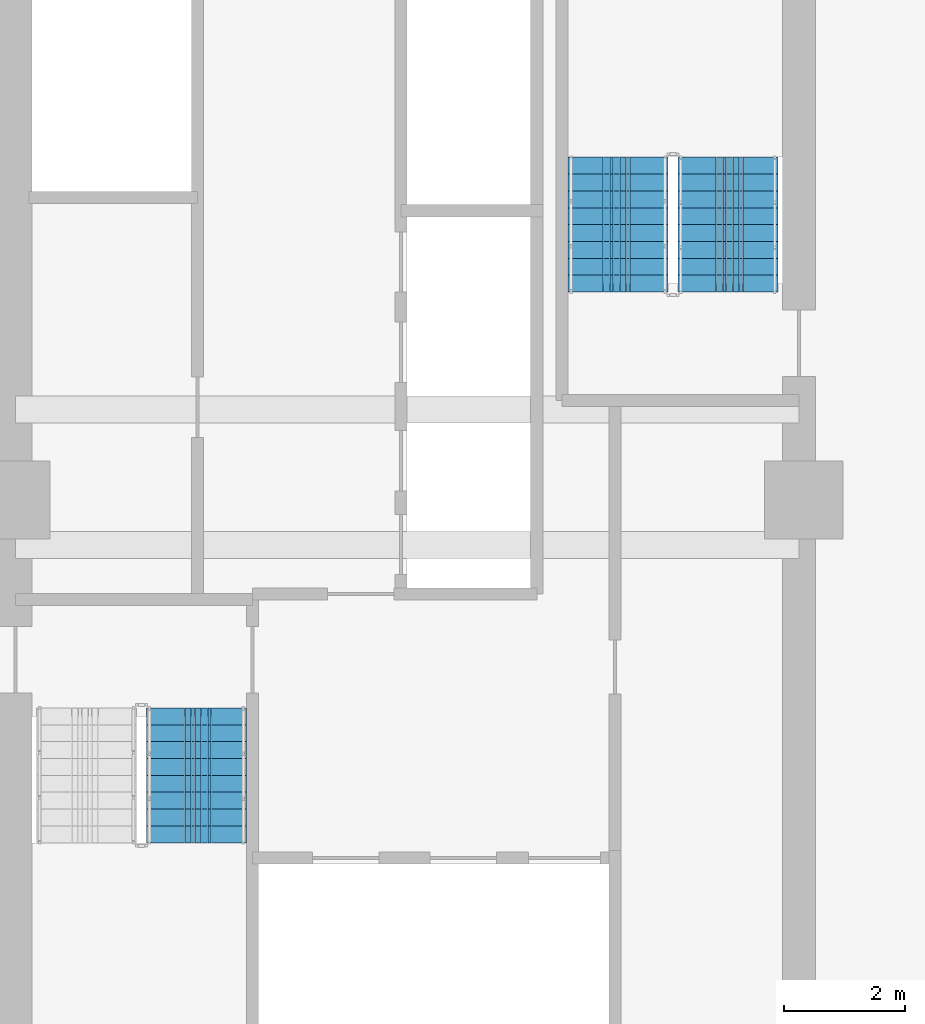
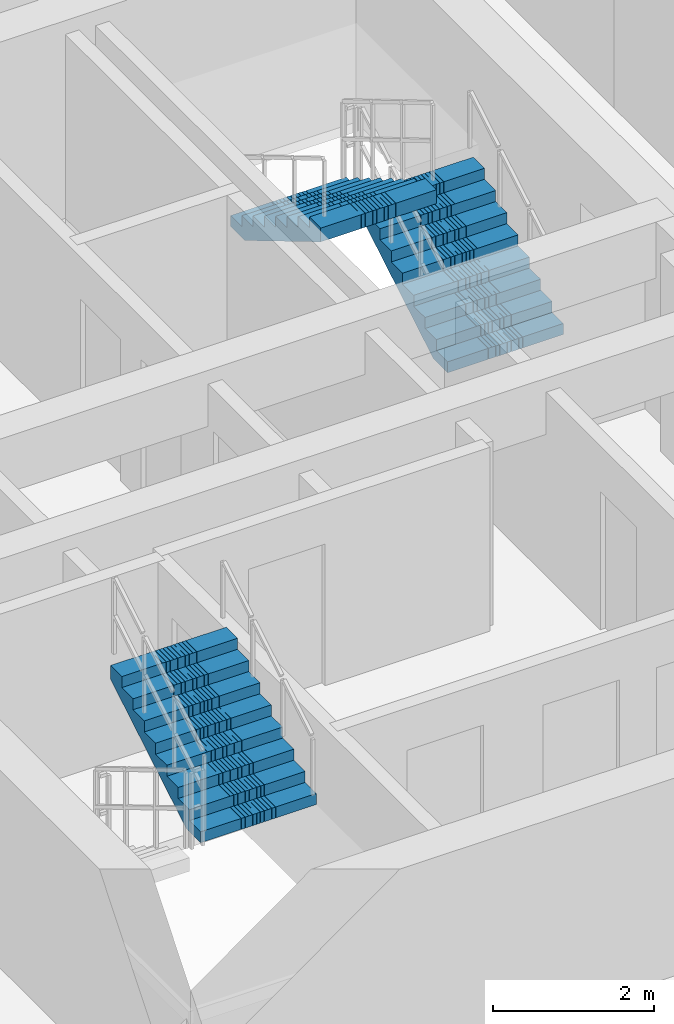
# One storey, part 9 of 13: 3 stair flights, 2 elements without a shape of their own.
"""IFC4 building model written with IfcOpenShell, lengths in metres."""

from ifc_helpers import new_model, si_unit, direction, frame, origin, place, context, subcontext, project, spatial, polyline, outline, extrude, material, type_object, element, aggregate, save


model = new_model("IFC4")

# Units and contexts
model_context = context("Model", 3, precision=1e-05, world=origin(), true_north=direction((0.0, 1.0)))
body_context = subcontext(model_context, "Body", "Model", "MODEL_VIEW")
ifc_project = project(units=[si_unit("LENGTHUNIT", "METRE"), si_unit("AREAUNIT", "SQUARE_METRE"), si_unit("VOLUMEUNIT", "CUBIC_METRE"), si_unit("PLANEANGLEUNIT", "RADIAN"), si_unit("MASSUNIT", "GRAM", prefix="KILO")], contexts=[model_context])

# Site, building, storey
site_placement = place(None, origin())
site = spatial("IfcSite", under=ifc_project, at=site_placement, CompositionType="ELEMENT")
building_placement = place(site_placement, origin())
building = spatial("IfcBuilding", under=site, at=building_placement, Name="Saelheon Loggia Tower", CompositionType="ELEMENT")
storey_placement = place(building_placement, frame((0.0, 0.0, 92.85009765625)))
storey = spatial("IfcBuildingStorey", under=building, at=storey_placement, Name="L29", CompositionType="ELEMENT", Elevation=92.85009765625)

# Stair, stair flight
ifc_material = material(Name="Concrete C40/50", Category="concrete")
stair_type = type_object("IfcStairType", Name="Stair_Escape_Core", PredefinedType="HALF_TURN_STAIR", material=ifc_material)
stair_1_placement = place(storey_placement, origin())
stair_1 = element("IfcStair", 1, at=stair_1_placement, inside=storey, type_object=stair_type, Name="L29 Special Escape Stair ST1", PredefinedType="HALF_TURN_STAIR")
stair_flight_type = type_object("IfcStairFlightType", Name="StairFlight_Tower_1660", PredefinedType="STRAIGHT", material=ifc_material)
stair_flight_1_placement = place(storey_placement, frame((34.5, 21.31005859375, 1.5), z_axis=(0.0, 0.0, 1.0), x_axis=(0.0, 1.0, 0.0)))
stair_flight_1 = element("IfcStairFlight", 2, at=stair_flight_1_placement, type_object=stair_flight_type, Name="ST1 flight 2", NumberOfRisers=9, NumberOfTreads=8, PredefinedType="STRAIGHT", RiserHeight=0.166666667, TreadLength=0.28, context=body_context, shape_type="SweptSolid", body=[
    extrude(outline(polyline([(0.0, 0.0), (0.0, 0.166748046875), (0.280029296875, 0.166748046875), (0.280029296875, 0.333251953125), (0.56005859375, 0.333251953125), (0.56005859375, 0.5), (0.840087890625, 0.5), (0.840087890625, 0.666748046875), (1.1201171875, 0.666748046875), (1.1201171875, 0.833251953125), (1.39990234375, 0.833251953125), (1.39990234375, 1.0), (1.679931640625, 1.0), (1.679931640625, 1.166748046875), (1.9599609375, 1.166748046875), (1.9599609375, 1.333251953125), (2.239990234375, 1.333251953125), (2.239990234375, 1.5), (2.239990234375, 1.1240234375), (0.351806640625, 0.0), (0.0, 0.0)])), frame((0.0, -0.2490234375, 0.0), z_axis=(0.0, -1.0, 0.0), x_axis=(1.0, 0.0, 0.0)), (0.0, 0.0, 1.0), 0.5810546875),
    extrude(outline(polyline([(0.0, 0.0), (0.0, 0.166748046875), (0.280029296875, 0.166748046875), (0.280029296875, 0.333251953125), (0.56005859375, 0.333251953125), (0.56005859375, 0.5), (0.840087890625, 0.5), (0.840087890625, 0.666748046875), (1.1201171875, 0.666748046875), (1.1201171875, 0.833251953125), (1.39990234375, 0.833251953125), (1.39990234375, 1.0), (1.679931640625, 1.0), (1.679931640625, 1.166748046875), (1.9599609375, 1.166748046875), (1.9599609375, 1.333251953125), (2.239990234375, 1.333251953125), (2.239990234375, 1.5), (2.239990234375, 1.1240234375), (0.351806640625, 0.0), (0.0, 0.0)])), frame((0.0, -0.194091796875, 0.0), z_axis=(0.0, -1.0, 0.0), x_axis=(1.0, 0.0, 0.0)), (0.0, 0.0, 1.0), 0.0498046875),
    extrude(outline(polyline([(0.0, 0.0), (0.0, 0.166748046875), (0.280029296875, 0.166748046875), (0.280029296875, 0.333251953125), (0.56005859375, 0.333251953125), (0.56005859375, 0.5), (0.840087890625, 0.5), (0.840087890625, 0.666748046875), (1.1201171875, 0.666748046875), (1.1201171875, 0.833251953125), (1.39990234375, 0.833251953125), (1.39990234375, 1.0), (1.679931640625, 1.0), (1.679931640625, 1.166748046875), (1.9599609375, 1.166748046875), (1.9599609375, 1.333251953125), (2.239990234375, 1.333251953125), (2.239990234375, 1.5), (2.239990234375, 1.1240234375), (0.351806640625, 0.0), (0.0, 0.0)])), frame((0.0, -0.139404296875, 0.0), z_axis=(0.0, -1.0, 0.0), x_axis=(1.0, 0.0, 0.0)), (0.0, 0.0, 1.0), 0.0498046875),
    extrude(outline(polyline([(0.0, 0.0), (0.0, 0.166748046875), (0.280029296875, 0.166748046875), (0.280029296875, 0.333251953125), (0.56005859375, 0.333251953125), (0.56005859375, 0.5), (0.840087890625, 0.5), (0.840087890625, 0.666748046875), (1.1201171875, 0.666748046875), (1.1201171875, 0.833251953125), (1.39990234375, 0.833251953125), (1.39990234375, 1.0), (1.679931640625, 1.0), (1.679931640625, 1.166748046875), (1.9599609375, 1.166748046875), (1.9599609375, 1.333251953125), (2.239990234375, 1.333251953125), (2.239990234375, 1.5), (2.239990234375, 1.1240234375), (0.351806640625, 0.0), (0.0, 0.0)])), frame((0.0, -0.084716796875, 0.0), z_axis=(0.0, -1.0, 0.0), x_axis=(1.0, 0.0, 0.0)), (0.0, 0.0, 1.0), 0.0498046875),
    extrude(outline(polyline([(0.0, 0.0), (0.0, 0.166748046875), (0.280029296875, 0.166748046875), (0.280029296875, 0.333251953125), (0.56005859375, 0.333251953125), (0.56005859375, 0.5), (0.840087890625, 0.5), (0.840087890625, 0.666748046875), (1.1201171875, 0.666748046875), (1.1201171875, 0.833251953125), (1.39990234375, 0.833251953125), (1.39990234375, 1.0), (1.679931640625, 1.0), (1.679931640625, 1.166748046875), (1.9599609375, 1.166748046875), (1.9599609375, 1.333251953125), (2.239990234375, 1.333251953125), (2.239990234375, 1.5), (2.239990234375, 1.1240234375), (0.351806640625, 0.0), (0.0, 0.0)])), frame((0.0, -0.02978515625, 0.0), z_axis=(0.0, -1.0, 0.0), x_axis=(1.0, 0.0, 0.0)), (0.0, 0.0, 1.0), 0.0498046875),
    extrude(outline(polyline([(0.0, 0.0), (0.0, 0.166748046875), (0.280029296875, 0.166748046875), (0.280029296875, 0.333251953125), (0.56005859375, 0.333251953125), (0.56005859375, 0.5), (0.840087890625, 0.5), (0.840087890625, 0.666748046875), (1.1201171875, 0.666748046875), (1.1201171875, 0.833251953125), (1.39990234375, 0.833251953125), (1.39990234375, 1.0), (1.679931640625, 1.0), (1.679931640625, 1.166748046875), (1.9599609375, 1.166748046875), (1.9599609375, 1.333251953125), (2.239990234375, 1.333251953125), (2.239990234375, 1.5), (2.239990234375, 1.1240234375), (0.351806640625, 0.0), (0.0, 0.0)])), frame((0.0, 0.02490234375, 0.0), z_axis=(0.0, -1.0, 0.0), x_axis=(1.0, 0.0, 0.0)), (0.0, 0.0, 1.0), 0.0498046875),
    extrude(outline(polyline([(0.0, 0.0), (0.0, 0.166748046875), (0.280029296875, 0.166748046875), (0.280029296875, 0.333251953125), (0.56005859375, 0.333251953125), (0.56005859375, 0.5), (0.840087890625, 0.5), (0.840087890625, 0.666748046875), (1.1201171875, 0.666748046875), (1.1201171875, 0.833251953125), (1.39990234375, 0.833251953125), (1.39990234375, 1.0), (1.679931640625, 1.0), (1.679931640625, 1.166748046875), (1.9599609375, 1.166748046875), (1.9599609375, 1.333251953125), (2.239990234375, 1.333251953125), (2.239990234375, 1.5), (2.239990234375, 1.1240234375), (0.351806640625, 0.0), (0.0, 0.0)])), frame((0.0, 0.07958984375, 0.0), z_axis=(0.0, -1.0, 0.0), x_axis=(1.0, 0.0, 0.0)), (0.0, 0.0, 1.0), 0.0498046875),
    extrude(outline(polyline([(0.0, 0.0), (0.0, 0.166748046875), (0.280029296875, 0.166748046875), (0.280029296875, 0.333251953125), (0.56005859375, 0.333251953125), (0.56005859375, 0.5), (0.840087890625, 0.5), (0.840087890625, 0.666748046875), (1.1201171875, 0.666748046875), (1.1201171875, 0.833251953125), (1.39990234375, 0.833251953125), (1.39990234375, 1.0), (1.679931640625, 1.0), (1.679931640625, 1.166748046875), (1.9599609375, 1.166748046875), (1.9599609375, 1.333251953125), (2.239990234375, 1.333251953125), (2.239990234375, 1.5), (2.239990234375, 1.1240234375), (0.351806640625, 0.0), (0.0, 0.0)])), frame((0.0, 0.134521484375, 0.0), z_axis=(0.0, -1.0, 0.0), x_axis=(1.0, 0.0, 0.0)), (0.0, 0.0, 1.0), 0.0498046875),
    extrude(outline(polyline([(0.0, 0.0), (0.0, 0.166748046875), (0.280029296875, 0.166748046875), (0.280029296875, 0.333251953125), (0.56005859375, 0.333251953125), (0.56005859375, 0.5), (0.840087890625, 0.5), (0.840087890625, 0.666748046875), (1.1201171875, 0.666748046875), (1.1201171875, 0.833251953125), (1.39990234375, 0.833251953125), (1.39990234375, 1.0), (1.679931640625, 1.0), (1.679931640625, 1.166748046875), (1.9599609375, 1.166748046875), (1.9599609375, 1.333251953125), (2.239990234375, 1.333251953125), (2.239990234375, 1.5), (2.239990234375, 1.1240234375), (0.351806640625, 0.0), (0.0, 0.0)])), frame((0.0, 0.189208984375, 0.0), z_axis=(0.0, -1.0, 0.0), x_axis=(1.0, 0.0, 0.0)), (0.0, 0.0, 1.0), 0.0498046875),
    extrude(outline(polyline([(0.0, 0.0), (0.0, 0.166748046875), (0.280029296875, 0.166748046875), (0.280029296875, 0.333251953125), (0.56005859375, 0.333251953125), (0.56005859375, 0.5), (0.840087890625, 0.5), (0.840087890625, 0.666748046875), (1.1201171875, 0.666748046875), (1.1201171875, 0.833251953125), (1.39990234375, 0.833251953125), (1.39990234375, 1.0), (1.679931640625, 1.0), (1.679931640625, 1.166748046875), (1.9599609375, 1.166748046875), (1.9599609375, 1.333251953125), (2.239990234375, 1.333251953125), (2.239990234375, 1.5), (2.239990234375, 1.1240234375), (0.351806640625, 0.0), (0.0, 0.0)])), frame((0.0, 0.243896484375, 0.0), z_axis=(0.0, -1.0, 0.0), x_axis=(1.0, 0.0, 0.0)), (0.0, 0.0, 1.0), 0.0498046875),
    extrude(outline(polyline([(0.0, 0.0), (0.0, 0.166748046875), (0.280029296875, 0.166748046875), (0.280029296875, 0.333251953125), (0.56005859375, 0.333251953125), (0.56005859375, 0.5), (0.840087890625, 0.5), (0.840087890625, 0.666748046875), (1.1201171875, 0.666748046875), (1.1201171875, 0.833251953125), (1.39990234375, 0.833251953125), (1.39990234375, 1.0), (1.679931640625, 1.0), (1.679931640625, 1.166748046875), (1.9599609375, 1.166748046875), (1.9599609375, 1.333251953125), (2.239990234375, 1.333251953125), (2.239990234375, 1.5), (2.239990234375, 1.1240234375), (0.351806640625, 0.0), (0.0, 0.0)])), frame((0.0, 0.830078125, 0.0), z_axis=(0.0, -1.0, 0.0), x_axis=(1.0, 0.0, 0.0)), (0.0, 0.0, 1.0), 0.5810546875),
])
aggregate(stair_1, [stair_flight_1])

# Stair, stair flights
stair_2_placement = place(storey_placement, origin())
stair_2 = element("IfcStair", 3, at=stair_2_placement, inside=storey, type_object=stair_type, Name="L29 Special Escape Stair ST2", PredefinedType="HALF_TURN_STAIR")
stair_flight_2_placement = place(storey_placement, frame((43.320068359375, 30.449951171875, 0.0), z_axis=(0.0, 0.0, 1.0), x_axis=(0.0, 1.0, 0.0)))
stair_flight_2 = element("IfcStairFlight", 4, at=stair_flight_2_placement, type_object=stair_flight_type, Name="ST2 flight 1", NumberOfRisers=9, NumberOfTreads=8, PredefinedType="STRAIGHT", RiserHeight=0.166666667, TreadLength=0.28, context=body_context, shape_type="SweptSolid", body=[
    extrude(outline(polyline([(0.0, 0.0), (0.0, 0.166748046875), (0.280029296875, 0.166748046875), (0.280029296875, 0.333251953125), (0.56005859375, 0.333251953125), (0.56005859375, 0.5), (0.840087890625, 0.5), (0.840087890625, 0.666748046875), (1.1201171875, 0.666748046875), (1.1201171875, 0.833251953125), (1.39990234375, 0.833251953125), (1.39990234375, 1.0), (1.679931640625, 1.0), (1.679931640625, 1.166748046875), (1.9599609375, 1.166748046875), (1.9599609375, 1.333251953125), (2.239990234375, 1.333251953125), (2.239990234375, 1.5), (2.239990234375, 1.1240234375), (0.351806640625, 0.0), (0.0, 0.0)])), frame((0.0, -0.2490234375, 0.0), z_axis=(0.0, -1.0, 0.0), x_axis=(1.0, 0.0, 0.0)), (0.0, 0.0, 1.0), 0.5810546875),
    extrude(outline(polyline([(0.0, 0.0), (0.0, 0.166748046875), (0.280029296875, 0.166748046875), (0.280029296875, 0.333251953125), (0.56005859375, 0.333251953125), (0.56005859375, 0.5), (0.840087890625, 0.5), (0.840087890625, 0.666748046875), (1.1201171875, 0.666748046875), (1.1201171875, 0.833251953125), (1.39990234375, 0.833251953125), (1.39990234375, 1.0), (1.679931640625, 1.0), (1.679931640625, 1.166748046875), (1.9599609375, 1.166748046875), (1.9599609375, 1.333251953125), (2.239990234375, 1.333251953125), (2.239990234375, 1.5), (2.239990234375, 1.1240234375), (0.351806640625, 0.0), (0.0, 0.0)])), frame((0.0, -0.194091796875, 0.0), z_axis=(0.0, -1.0, 0.0), x_axis=(1.0, 0.0, 0.0)), (0.0, 0.0, 1.0), 0.0498046875),
    extrude(outline(polyline([(0.0, 0.0), (0.0, 0.166748046875), (0.280029296875, 0.166748046875), (0.280029296875, 0.333251953125), (0.56005859375, 0.333251953125), (0.56005859375, 0.5), (0.840087890625, 0.5), (0.840087890625, 0.666748046875), (1.1201171875, 0.666748046875), (1.1201171875, 0.833251953125), (1.39990234375, 0.833251953125), (1.39990234375, 1.0), (1.679931640625, 1.0), (1.679931640625, 1.166748046875), (1.9599609375, 1.166748046875), (1.9599609375, 1.333251953125), (2.239990234375, 1.333251953125), (2.239990234375, 1.5), (2.239990234375, 1.1240234375), (0.351806640625, 0.0), (0.0, 0.0)])), frame((0.0, -0.139404296875, 0.0), z_axis=(0.0, -1.0, 0.0), x_axis=(1.0, 0.0, 0.0)), (0.0, 0.0, 1.0), 0.0498046875),
    extrude(outline(polyline([(0.0, 0.0), (0.0, 0.166748046875), (0.280029296875, 0.166748046875), (0.280029296875, 0.333251953125), (0.56005859375, 0.333251953125), (0.56005859375, 0.5), (0.840087890625, 0.5), (0.840087890625, 0.666748046875), (1.1201171875, 0.666748046875), (1.1201171875, 0.833251953125), (1.39990234375, 0.833251953125), (1.39990234375, 1.0), (1.679931640625, 1.0), (1.679931640625, 1.166748046875), (1.9599609375, 1.166748046875), (1.9599609375, 1.333251953125), (2.239990234375, 1.333251953125), (2.239990234375, 1.5), (2.239990234375, 1.1240234375), (0.351806640625, 0.0), (0.0, 0.0)])), frame((0.0, -0.084716796875, 0.0), z_axis=(0.0, -1.0, 0.0), x_axis=(1.0, 0.0, 0.0)), (0.0, 0.0, 1.0), 0.0498046875),
    extrude(outline(polyline([(0.0, 0.0), (0.0, 0.166748046875), (0.280029296875, 0.166748046875), (0.280029296875, 0.333251953125), (0.56005859375, 0.333251953125), (0.56005859375, 0.5), (0.840087890625, 0.5), (0.840087890625, 0.666748046875), (1.1201171875, 0.666748046875), (1.1201171875, 0.833251953125), (1.39990234375, 0.833251953125), (1.39990234375, 1.0), (1.679931640625, 1.0), (1.679931640625, 1.166748046875), (1.9599609375, 1.166748046875), (1.9599609375, 1.333251953125), (2.239990234375, 1.333251953125), (2.239990234375, 1.5), (2.239990234375, 1.1240234375), (0.351806640625, 0.0), (0.0, 0.0)])), frame((0.0, -0.02978515625, 0.0), z_axis=(0.0, -1.0, 0.0), x_axis=(1.0, 0.0, 0.0)), (0.0, 0.0, 1.0), 0.0498046875),
    extrude(outline(polyline([(0.0, 0.0), (0.0, 0.166748046875), (0.280029296875, 0.166748046875), (0.280029296875, 0.333251953125), (0.56005859375, 0.333251953125), (0.56005859375, 0.5), (0.840087890625, 0.5), (0.840087890625, 0.666748046875), (1.1201171875, 0.666748046875), (1.1201171875, 0.833251953125), (1.39990234375, 0.833251953125), (1.39990234375, 1.0), (1.679931640625, 1.0), (1.679931640625, 1.166748046875), (1.9599609375, 1.166748046875), (1.9599609375, 1.333251953125), (2.239990234375, 1.333251953125), (2.239990234375, 1.5), (2.239990234375, 1.1240234375), (0.351806640625, 0.0), (0.0, 0.0)])), frame((0.0, 0.02490234375, 0.0), z_axis=(0.0, -1.0, 0.0), x_axis=(1.0, 0.0, 0.0)), (0.0, 0.0, 1.0), 0.0498046875),
    extrude(outline(polyline([(0.0, 0.0), (0.0, 0.166748046875), (0.280029296875, 0.166748046875), (0.280029296875, 0.333251953125), (0.56005859375, 0.333251953125), (0.56005859375, 0.5), (0.840087890625, 0.5), (0.840087890625, 0.666748046875), (1.1201171875, 0.666748046875), (1.1201171875, 0.833251953125), (1.39990234375, 0.833251953125), (1.39990234375, 1.0), (1.679931640625, 1.0), (1.679931640625, 1.166748046875), (1.9599609375, 1.166748046875), (1.9599609375, 1.333251953125), (2.239990234375, 1.333251953125), (2.239990234375, 1.5), (2.239990234375, 1.1240234375), (0.351806640625, 0.0), (0.0, 0.0)])), frame((0.0, 0.07958984375, 0.0), z_axis=(0.0, -1.0, 0.0), x_axis=(1.0, 0.0, 0.0)), (0.0, 0.0, 1.0), 0.0498046875),
    extrude(outline(polyline([(0.0, 0.0), (0.0, 0.166748046875), (0.280029296875, 0.166748046875), (0.280029296875, 0.333251953125), (0.56005859375, 0.333251953125), (0.56005859375, 0.5), (0.840087890625, 0.5), (0.840087890625, 0.666748046875), (1.1201171875, 0.666748046875), (1.1201171875, 0.833251953125), (1.39990234375, 0.833251953125), (1.39990234375, 1.0), (1.679931640625, 1.0), (1.679931640625, 1.166748046875), (1.9599609375, 1.166748046875), (1.9599609375, 1.333251953125), (2.239990234375, 1.333251953125), (2.239990234375, 1.5), (2.239990234375, 1.1240234375), (0.351806640625, 0.0), (0.0, 0.0)])), frame((0.0, 0.134521484375, 0.0), z_axis=(0.0, -1.0, 0.0), x_axis=(1.0, 0.0, 0.0)), (0.0, 0.0, 1.0), 0.0498046875),
    extrude(outline(polyline([(0.0, 0.0), (0.0, 0.166748046875), (0.280029296875, 0.166748046875), (0.280029296875, 0.333251953125), (0.56005859375, 0.333251953125), (0.56005859375, 0.5), (0.840087890625, 0.5), (0.840087890625, 0.666748046875), (1.1201171875, 0.666748046875), (1.1201171875, 0.833251953125), (1.39990234375, 0.833251953125), (1.39990234375, 1.0), (1.679931640625, 1.0), (1.679931640625, 1.166748046875), (1.9599609375, 1.166748046875), (1.9599609375, 1.333251953125), (2.239990234375, 1.333251953125), (2.239990234375, 1.5), (2.239990234375, 1.1240234375), (0.351806640625, 0.0), (0.0, 0.0)])), frame((0.0, 0.189208984375, 0.0), z_axis=(0.0, -1.0, 0.0), x_axis=(1.0, 0.0, 0.0)), (0.0, 0.0, 1.0), 0.0498046875),
    extrude(outline(polyline([(0.0, 0.0), (0.0, 0.166748046875), (0.280029296875, 0.166748046875), (0.280029296875, 0.333251953125), (0.56005859375, 0.333251953125), (0.56005859375, 0.5), (0.840087890625, 0.5), (0.840087890625, 0.666748046875), (1.1201171875, 0.666748046875), (1.1201171875, 0.833251953125), (1.39990234375, 0.833251953125), (1.39990234375, 1.0), (1.679931640625, 1.0), (1.679931640625, 1.166748046875), (1.9599609375, 1.166748046875), (1.9599609375, 1.333251953125), (2.239990234375, 1.333251953125), (2.239990234375, 1.5), (2.239990234375, 1.1240234375), (0.351806640625, 0.0), (0.0, 0.0)])), frame((0.0, 0.243896484375, 0.0), z_axis=(0.0, -1.0, 0.0), x_axis=(1.0, 0.0, 0.0)), (0.0, 0.0, 1.0), 0.0498046875),
    extrude(outline(polyline([(0.0, 0.0), (0.0, 0.166748046875), (0.280029296875, 0.166748046875), (0.280029296875, 0.333251953125), (0.56005859375, 0.333251953125), (0.56005859375, 0.5), (0.840087890625, 0.5), (0.840087890625, 0.666748046875), (1.1201171875, 0.666748046875), (1.1201171875, 0.833251953125), (1.39990234375, 0.833251953125), (1.39990234375, 1.0), (1.679931640625, 1.0), (1.679931640625, 1.166748046875), (1.9599609375, 1.166748046875), (1.9599609375, 1.333251953125), (2.239990234375, 1.333251953125), (2.239990234375, 1.5), (2.239990234375, 1.1240234375), (0.351806640625, 0.0), (0.0, 0.0)])), frame((0.0, 0.830078125, 0.0), z_axis=(0.0, -1.0, 0.0), x_axis=(1.0, 0.0, 0.0)), (0.0, 0.0, 1.0), 0.5810546875),
])
stair_flight_3_placement = place(storey_placement, frame((41.5, 32.68994140625, 1.5), z_axis=(0.0, 0.0, 1.0), x_axis=(0.0, -1.0, 0.0)))
stair_flight_3 = element("IfcStairFlight", 5, at=stair_flight_3_placement, type_object=stair_flight_type, Name="ST2 flight 2", NumberOfRisers=9, NumberOfTreads=8, PredefinedType="STRAIGHT", RiserHeight=0.166666667, TreadLength=0.28, context=body_context, shape_type="SweptSolid", body=[
    extrude(outline(polyline([(0.0, 0.0), (0.0, 0.166748046875), (0.280029296875, 0.166748046875), (0.280029296875, 0.333251953125), (0.56005859375, 0.333251953125), (0.56005859375, 0.5), (0.840087890625, 0.5), (0.840087890625, 0.666748046875), (1.1201171875, 0.666748046875), (1.1201171875, 0.833251953125), (1.39990234375, 0.833251953125), (1.39990234375, 1.0), (1.679931640625, 1.0), (1.679931640625, 1.166748046875), (1.9599609375, 1.166748046875), (1.9599609375, 1.333251953125), (2.239990234375, 1.333251953125), (2.239990234375, 1.5), (2.239990234375, 1.1240234375), (0.351806640625, 0.0), (0.0, 0.0)])), frame((0.0, -0.2490234375, 0.0), z_axis=(0.0, -1.0, 0.0), x_axis=(1.0, 0.0, 0.0)), (0.0, 0.0, 1.0), 0.5810546875),
    extrude(outline(polyline([(0.0, 0.0), (0.0, 0.166748046875), (0.280029296875, 0.166748046875), (0.280029296875, 0.333251953125), (0.56005859375, 0.333251953125), (0.56005859375, 0.5), (0.840087890625, 0.5), (0.840087890625, 0.666748046875), (1.1201171875, 0.666748046875), (1.1201171875, 0.833251953125), (1.39990234375, 0.833251953125), (1.39990234375, 1.0), (1.679931640625, 1.0), (1.679931640625, 1.166748046875), (1.9599609375, 1.166748046875), (1.9599609375, 1.333251953125), (2.239990234375, 1.333251953125), (2.239990234375, 1.5), (2.239990234375, 1.1240234375), (0.351806640625, 0.0), (0.0, 0.0)])), frame((0.0, -0.194091796875, 0.0), z_axis=(0.0, -1.0, 0.0), x_axis=(1.0, 0.0, 0.0)), (0.0, 0.0, 1.0), 0.0498046875),
    extrude(outline(polyline([(0.0, 0.0), (0.0, 0.166748046875), (0.280029296875, 0.166748046875), (0.280029296875, 0.333251953125), (0.56005859375, 0.333251953125), (0.56005859375, 0.5), (0.840087890625, 0.5), (0.840087890625, 0.666748046875), (1.1201171875, 0.666748046875), (1.1201171875, 0.833251953125), (1.39990234375, 0.833251953125), (1.39990234375, 1.0), (1.679931640625, 1.0), (1.679931640625, 1.166748046875), (1.9599609375, 1.166748046875), (1.9599609375, 1.333251953125), (2.239990234375, 1.333251953125), (2.239990234375, 1.5), (2.239990234375, 1.1240234375), (0.351806640625, 0.0), (0.0, 0.0)])), frame((0.0, -0.139404296875, 0.0), z_axis=(0.0, -1.0, 0.0), x_axis=(1.0, 0.0, 0.0)), (0.0, 0.0, 1.0), 0.0498046875),
    extrude(outline(polyline([(0.0, 0.0), (0.0, 0.166748046875), (0.280029296875, 0.166748046875), (0.280029296875, 0.333251953125), (0.56005859375, 0.333251953125), (0.56005859375, 0.5), (0.840087890625, 0.5), (0.840087890625, 0.666748046875), (1.1201171875, 0.666748046875), (1.1201171875, 0.833251953125), (1.39990234375, 0.833251953125), (1.39990234375, 1.0), (1.679931640625, 1.0), (1.679931640625, 1.166748046875), (1.9599609375, 1.166748046875), (1.9599609375, 1.333251953125), (2.239990234375, 1.333251953125), (2.239990234375, 1.5), (2.239990234375, 1.1240234375), (0.351806640625, 0.0), (0.0, 0.0)])), frame((0.0, -0.084716796875, 0.0), z_axis=(0.0, -1.0, 0.0), x_axis=(1.0, 0.0, 0.0)), (0.0, 0.0, 1.0), 0.0498046875),
    extrude(outline(polyline([(0.0, 0.0), (0.0, 0.166748046875), (0.280029296875, 0.166748046875), (0.280029296875, 0.333251953125), (0.56005859375, 0.333251953125), (0.56005859375, 0.5), (0.840087890625, 0.5), (0.840087890625, 0.666748046875), (1.1201171875, 0.666748046875), (1.1201171875, 0.833251953125), (1.39990234375, 0.833251953125), (1.39990234375, 1.0), (1.679931640625, 1.0), (1.679931640625, 1.166748046875), (1.9599609375, 1.166748046875), (1.9599609375, 1.333251953125), (2.239990234375, 1.333251953125), (2.239990234375, 1.5), (2.239990234375, 1.1240234375), (0.351806640625, 0.0), (0.0, 0.0)])), frame((0.0, -0.02978515625, 0.0), z_axis=(0.0, -1.0, 0.0), x_axis=(1.0, 0.0, 0.0)), (0.0, 0.0, 1.0), 0.0498046875),
    extrude(outline(polyline([(0.0, 0.0), (0.0, 0.166748046875), (0.280029296875, 0.166748046875), (0.280029296875, 0.333251953125), (0.56005859375, 0.333251953125), (0.56005859375, 0.5), (0.840087890625, 0.5), (0.840087890625, 0.666748046875), (1.1201171875, 0.666748046875), (1.1201171875, 0.833251953125), (1.39990234375, 0.833251953125), (1.39990234375, 1.0), (1.679931640625, 1.0), (1.679931640625, 1.166748046875), (1.9599609375, 1.166748046875), (1.9599609375, 1.333251953125), (2.239990234375, 1.333251953125), (2.239990234375, 1.5), (2.239990234375, 1.1240234375), (0.351806640625, 0.0), (0.0, 0.0)])), frame((0.0, 0.02490234375, 0.0), z_axis=(0.0, -1.0, 0.0), x_axis=(1.0, 0.0, 0.0)), (0.0, 0.0, 1.0), 0.0498046875),
    extrude(outline(polyline([(0.0, 0.0), (0.0, 0.166748046875), (0.280029296875, 0.166748046875), (0.280029296875, 0.333251953125), (0.56005859375, 0.333251953125), (0.56005859375, 0.5), (0.840087890625, 0.5), (0.840087890625, 0.666748046875), (1.1201171875, 0.666748046875), (1.1201171875, 0.833251953125), (1.39990234375, 0.833251953125), (1.39990234375, 1.0), (1.679931640625, 1.0), (1.679931640625, 1.166748046875), (1.9599609375, 1.166748046875), (1.9599609375, 1.333251953125), (2.239990234375, 1.333251953125), (2.239990234375, 1.5), (2.239990234375, 1.1240234375), (0.351806640625, 0.0), (0.0, 0.0)])), frame((0.0, 0.07958984375, 0.0), z_axis=(0.0, -1.0, 0.0), x_axis=(1.0, 0.0, 0.0)), (0.0, 0.0, 1.0), 0.0498046875),
    extrude(outline(polyline([(0.0, 0.0), (0.0, 0.166748046875), (0.280029296875, 0.166748046875), (0.280029296875, 0.333251953125), (0.56005859375, 0.333251953125), (0.56005859375, 0.5), (0.840087890625, 0.5), (0.840087890625, 0.666748046875), (1.1201171875, 0.666748046875), (1.1201171875, 0.833251953125), (1.39990234375, 0.833251953125), (1.39990234375, 1.0), (1.679931640625, 1.0), (1.679931640625, 1.166748046875), (1.9599609375, 1.166748046875), (1.9599609375, 1.333251953125), (2.239990234375, 1.333251953125), (2.239990234375, 1.5), (2.239990234375, 1.1240234375), (0.351806640625, 0.0), (0.0, 0.0)])), frame((0.0, 0.134521484375, 0.0), z_axis=(0.0, -1.0, 0.0), x_axis=(1.0, 0.0, 0.0)), (0.0, 0.0, 1.0), 0.0498046875),
    extrude(outline(polyline([(0.0, 0.0), (0.0, 0.166748046875), (0.280029296875, 0.166748046875), (0.280029296875, 0.333251953125), (0.56005859375, 0.333251953125), (0.56005859375, 0.5), (0.840087890625, 0.5), (0.840087890625, 0.666748046875), (1.1201171875, 0.666748046875), (1.1201171875, 0.833251953125), (1.39990234375, 0.833251953125), (1.39990234375, 1.0), (1.679931640625, 1.0), (1.679931640625, 1.166748046875), (1.9599609375, 1.166748046875), (1.9599609375, 1.333251953125), (2.239990234375, 1.333251953125), (2.239990234375, 1.5), (2.239990234375, 1.1240234375), (0.351806640625, 0.0), (0.0, 0.0)])), frame((0.0, 0.189208984375, 0.0), z_axis=(0.0, -1.0, 0.0), x_axis=(1.0, 0.0, 0.0)), (0.0, 0.0, 1.0), 0.0498046875),
    extrude(outline(polyline([(0.0, 0.0), (0.0, 0.166748046875), (0.280029296875, 0.166748046875), (0.280029296875, 0.333251953125), (0.56005859375, 0.333251953125), (0.56005859375, 0.5), (0.840087890625, 0.5), (0.840087890625, 0.666748046875), (1.1201171875, 0.666748046875), (1.1201171875, 0.833251953125), (1.39990234375, 0.833251953125), (1.39990234375, 1.0), (1.679931640625, 1.0), (1.679931640625, 1.166748046875), (1.9599609375, 1.166748046875), (1.9599609375, 1.333251953125), (2.239990234375, 1.333251953125), (2.239990234375, 1.5), (2.239990234375, 1.1240234375), (0.351806640625, 0.0), (0.0, 0.0)])), frame((0.0, 0.243896484375, 0.0), z_axis=(0.0, -1.0, 0.0), x_axis=(1.0, 0.0, 0.0)), (0.0, 0.0, 1.0), 0.0498046875),
    extrude(outline(polyline([(0.0, 0.0), (0.0, 0.166748046875), (0.280029296875, 0.166748046875), (0.280029296875, 0.333251953125), (0.56005859375, 0.333251953125), (0.56005859375, 0.5), (0.840087890625, 0.5), (0.840087890625, 0.666748046875), (1.1201171875, 0.666748046875), (1.1201171875, 0.833251953125), (1.39990234375, 0.833251953125), (1.39990234375, 1.0), (1.679931640625, 1.0), (1.679931640625, 1.166748046875), (1.9599609375, 1.166748046875), (1.9599609375, 1.333251953125), (2.239990234375, 1.333251953125), (2.239990234375, 1.5), (2.239990234375, 1.1240234375), (0.351806640625, 0.0), (0.0, 0.0)])), frame((0.0, 0.830078125, 0.0), z_axis=(0.0, -1.0, 0.0), x_axis=(1.0, 0.0, 0.0)), (0.0, 0.0, 1.0), 0.5810546875),
])
aggregate(stair_2, [stair_flight_2, stair_flight_3])

save(model, "model.ifc")
